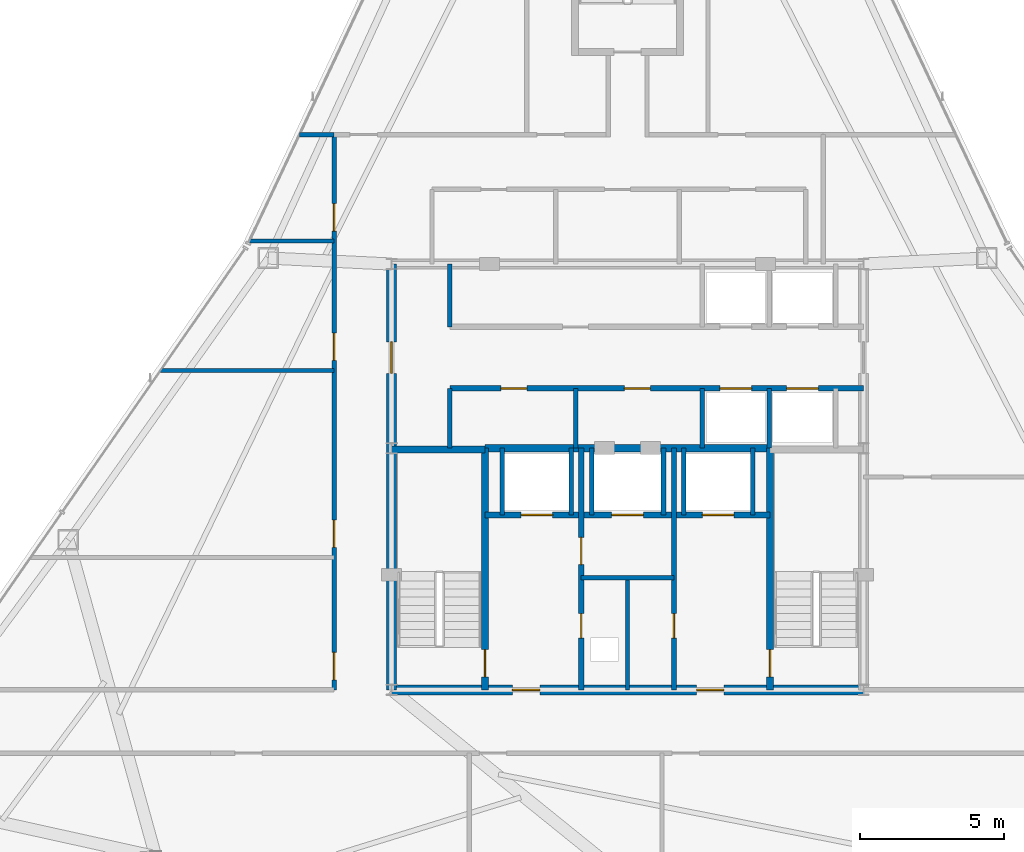
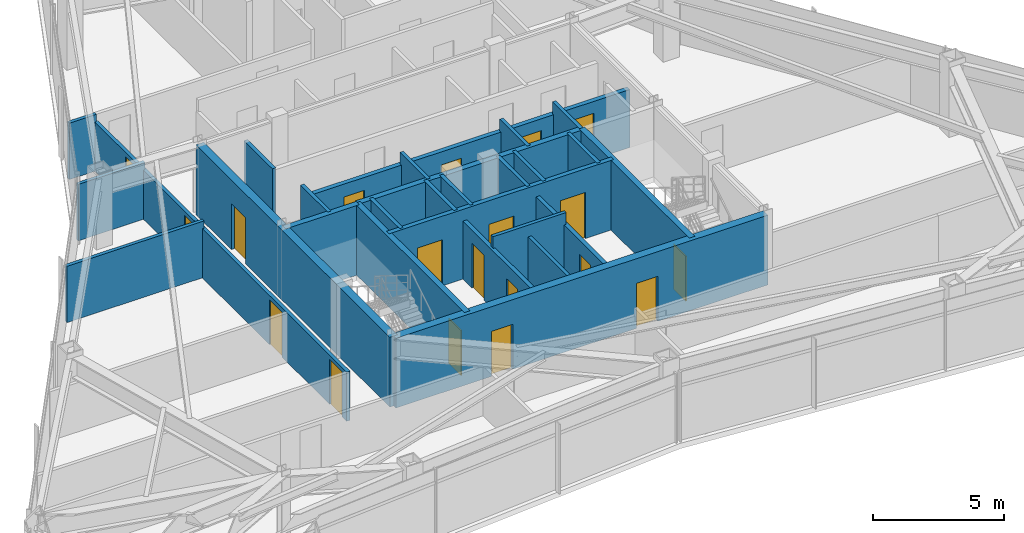
# One storey, part 9 of 12: 27 walls, 19 doors, 19 openings.
"""IFC4 building model written with IfcOpenShell, lengths in metres."""

import ifcopenshell
import ifcopenshell.guid

model = None  # the IFC model being written
_history = None  # IfcOwnerHistory: only IFC2X3 demands one
_inside = {}  # id of a spatial element -> (the spatial element, [elements in it])
_under = {}  # id of a project, library or spatial element -> (it, [spatial elements below it])
_declared = {}  # id of a project -> (the project, [libraries it declares])
_typed = {}  # id of a type object -> (the type object, [elements of that type])
_made_of = {}  # id of a material, layer set ... -> (it, [elements and type objects made of it])


def new_model(schema):
    """Start an empty IFC model of exactly this schema.

    Asked for "IFC4X3", IfcOpenShell would pick the latest addendum, in which some entities
    have other attributes; the version numbers below select the first issue.
    IFC2X3 requires an IfcOwnerHistory on every rooted entity: one is made here for all.
    """
    global model, _history
    if schema == "IFC4X3":
        model = ifcopenshell.file(schema_version=(4, 3, 0, 0))
    else:
        model = ifcopenshell.file(schema=schema)
    _inside.clear()
    _under.clear()
    _declared.clear()
    _typed.clear()
    _made_of.clear()
    _history = None
    if model.schema == "IFC2X3":
        org = make("IfcOrganization", Name="unknown")
        user = make(
            "IfcPersonAndOrganization",
            ThePerson=make("IfcPerson", FamilyName="unknown"),
            TheOrganization=org,
        )
        app = make(
            "IfcApplication",
            ApplicationDeveloper=org,
            Version="unknown",
            ApplicationFullName="unknown",
            ApplicationIdentifier="unknown",
        )
        _history = make(
            "IfcOwnerHistory",
            OwningUser=user,
            OwningApplication=app,
            ChangeAction="ADDED",
            CreationDate=0,
        )
    return model


def make(cls, **values):
    """One entity of the class cls with the attributes given. An attribute that is None is left unset."""
    return model.create_entity(
        cls, **{name: value for name, value in values.items() if value is not None}
    )


def rooted(cls, **values):
    """An entity with a GlobalId (a new one), such as an element, a storey or a relation."""
    return make(cls, GlobalId=ifcopenshell.guid.new(), OwnerHistory=_history, **values)


def si_unit(unit_type, name, prefix=None):
    """IfcSIUnit, for example si_unit("LENGTHUNIT", "METRE", prefix="MILLI")."""
    return make("IfcSIUnit", UnitType=unit_type, Prefix=prefix, Name=name)


def assignment(units):
    """IfcUnitAssignment: the units of a project."""
    return None if units is None else make("IfcUnitAssignment", Units=units)


def point(xyz):
    """IfcCartesianPoint."""
    return None if xyz is None else make("IfcCartesianPoint", Coordinates=xyz)


def direction(xyz):
    """IfcDirection."""
    return None if xyz is None else make("IfcDirection", DirectionRatios=xyz)


def frame(location, z_axis=None, x_axis=None):
    """IfcAxis2Placement3D, a coordinate frame: its origin and axes. An axis left out is left unset."""
    return make(
        "IfcAxis2Placement3D",
        Location=point(location),
        Axis=direction(z_axis),
        RefDirection=direction(x_axis),
    )


def frame_2d(location, x_axis=None):
    """IfcAxis2Placement2D, a coordinate frame in the plane: its origin and x axis."""
    return make(
        "IfcAxis2Placement2D", Location=point(location), RefDirection=direction(x_axis)
    )


def origin():
    """The frame at (0, 0, 0) with its axes left unset."""
    return frame((0.0, 0.0, 0.0))


def place(relative_to, where):
    """IfcLocalPlacement: puts the frame where relative to a parent placement (None: the world)."""
    return make(
        "IfcLocalPlacement", PlacementRelTo=relative_to, RelativePlacement=where
    )


def context(
    kind, dimensions, precision=None, world=None, true_north=None, identifier=None
):
    """IfcGeometricRepresentationContext, for example the 3D "Model" context."""
    return make(
        "IfcGeometricRepresentationContext",
        ContextIdentifier=identifier,
        ContextType=kind,
        CoordinateSpaceDimension=dimensions,
        Precision=precision,
        WorldCoordinateSystem=world,
        TrueNorth=true_north,
    )


def subcontext(parent, identifier, kind, view, scale=None):
    """IfcGeometricRepresentationSubContext, for example "Body" below "Model"."""
    return make(
        "IfcGeometricRepresentationSubContext",
        ContextIdentifier=identifier,
        ContextType=kind,
        ParentContext=parent,
        TargetScale=scale,
        TargetView=view,
    )


def project(units=None, contexts=None):
    """IfcProject with its units and contexts."""
    return rooted(
        "IfcProject",
        Name="project",
        RepresentationContexts=contexts,
        UnitsInContext=assignment(units),
    )


def spatial(cls, under=None, at=None, **own):
    """A site, building, storey or space (cls), placed at a placement, below another one or the project."""
    s = rooted(cls, ObjectPlacement=at, **own)
    if under is not None:
        _under.setdefault(under.id(), (under, []))[1].append(s)
    return s


def profile(cls, at=None, kind="AREA", **sizes):
    """A parametric profile (cls). Its sizes go by their IFC names, for example OverallWidth=200.0."""
    return make(cls, ProfileType=kind, Position=at, **sizes)


def rectangle(**sizes):
    """IfcRectangleProfileDef."""
    return profile("IfcRectangleProfileDef", **sizes)


def extrude(swept, where, along, depth):
    """IfcExtrudedAreaSolid: the profile swept, set in the frame where, extruded along a direction by depth."""
    return make(
        "IfcExtrudedAreaSolid",
        SweptArea=swept,
        Position=where,
        ExtrudedDirection=direction(along),
        Depth=depth,
    )


def shape(context_of_items, identifier, shape_type, items):
    """IfcShapeRepresentation: the items that make up one representation, for example the "Body"."""
    return make(
        "IfcShapeRepresentation",
        ContextOfItems=context_of_items,
        RepresentationIdentifier=identifier,
        RepresentationType=shape_type,
        Items=items,
    )


def material(Name=None, Category=None):
    """IfcMaterial."""
    return make("IfcMaterial", Name=Name, Category=Category)


def layer(
    of_material, thickness, ventilated=None, Name=None, Category=None, Priority=None
):
    """IfcMaterialLayer: one layer of a wall or slab, of a material (None: an air gap)."""
    return make(
        "IfcMaterialLayer",
        Material=of_material,
        LayerThickness=thickness,
        IsVentilated=ventilated,
        Name=Name,
        Category=Category,
        Priority=Priority,
    )


def layer_set(layers, Name=None):
    """IfcMaterialLayerSet."""
    return make("IfcMaterialLayerSet", MaterialLayers=layers, LayerSetName=Name)


def made_of(thing, what):
    """Note that an element or type object is made of a material, layer set ...; save() writes the relation."""
    if what is not None:
        _made_of.setdefault(what.id(), (what, []))[1].append(thing)
    return thing


def type_object(cls, material=None, **own):
    """A type object (cls), such as IfcWallType, which elements share."""
    return made_of(rooted(cls, **own), material)


def element(
    cls,
    number,
    at=None,
    inside=None,
    cuts=None,
    type_object=None,
    material=None,
    context=None,
    identifier="Body",
    shape_type=None,
    held_by="IfcProductDefinitionShape",
    body=None,
    shapes=None,
    **own,
):
    """One element of the class cls, such as IfcWall. Its Tag is "e" and its number.

    at: its placement. inside: the storey or other place that contains it. cuts: it is an
    opening in that element (IfcRelVoidsElement). A single representation is given by context,
    identifier, shape_type and body (its items); several are given by shapes. held_by: the class
    of the entity that holds the representations. save() writes the other relations.
    """
    e = rooted(cls, Tag="e%d" % number, ObjectPlacement=at, **own)
    if body is not None:
        shapes = [shape(context, identifier, shape_type, body)]
    if shapes is not None:
        e.Representation = make(held_by, Representations=shapes)
    if inside is not None:
        _inside.setdefault(inside.id(), (inside, []))[1].append(e)
    if cuts is not None:
        rooted(
            "IfcRelVoidsElement", RelatingBuildingElement=cuts, RelatedOpeningElement=e
        )
    if type_object is not None:
        _typed.setdefault(type_object.id(), (type_object, []))[1].append(e)
    return made_of(e, material)


def fill(opening, filler):
    """IfcRelFillsElement: the door or window that sits in an opening."""
    return rooted(
        "IfcRelFillsElement",
        RelatingOpeningElement=opening,
        RelatedBuildingElement=filler,
    )


def aggregate(whole, parts):
    """IfcRelAggregates: a whole, such as a stair, and the parts it consists of."""
    return rooted("IfcRelAggregates", RelatingObject=whole, RelatedObjects=parts)


def save(model, path):
    """Write the relations noted so far, then the file.

    IfcRelAggregates (storeys below a building ...), IfcRelContainedInSpatialStructure (elements
    in a storey), IfcRelDefinesByType, IfcRelAssociatesMaterial and IfcRelDeclares: one each for
    every whole, place, type object, material and project.
    """
    for whole, parts in _under.values():
        aggregate(whole, parts)
    for where, things in _inside.values():
        rooted(
            "IfcRelContainedInSpatialStructure",
            RelatedElements=things,
            RelatingStructure=where,
        )
    for kind, things in _typed.values():
        rooted("IfcRelDefinesByType", RelatedObjects=things, RelatingType=kind)
    for what, things in _made_of.values():
        rooted("IfcRelAssociatesMaterial", RelatedObjects=things, RelatingMaterial=what)
    for by, libraries in _declared.values():
        rooted("IfcRelDeclares", RelatingContext=by, RelatedDefinitions=libraries)
    model.write(path)


model = new_model("IFC4")

# Units and contexts
model_context = context("Model", 3, precision=1e-05, world=origin(), true_north=direction((0.0, 1.0)))
body_context = subcontext(model_context, "Body", "Model", "MODEL_VIEW")
ifc_project = project(units=[si_unit("LENGTHUNIT", "METRE"), si_unit("AREAUNIT", "SQUARE_METRE"), si_unit("VOLUMEUNIT", "CUBIC_METRE"), si_unit("PLANEANGLEUNIT", "RADIAN"), si_unit("MASSUNIT", "GRAM", prefix="KILO")], contexts=[model_context])

# Site, building, storey
site_placement = place(None, origin())
site = spatial("IfcSite", under=ifc_project, at=site_placement, CompositionType="ELEMENT")
building_placement = place(site_placement, origin())
building = spatial("IfcBuilding", under=site, at=building_placement, Name="Varakhsha Concourse Tower", CompositionType="ELEMENT")
storey_placement = place(building_placement, frame((0.0, 0.0, 225.89990234375)))
storey = spatial("IfcBuildingStorey", under=building, at=storey_placement, Name="L64", CompositionType="ELEMENT", Elevation=225.89990234375)

# Wall, openings, doors
ifc_material_1 = material(Name="Concrete fc 65 MPa", Category="concrete")
ifc_layer_1 = layer(ifc_material_1, 0.35009765625, Name="WL-CORE-350")
ifc_layer_set_1 = layer_set([ifc_layer_1], Name="Concrete fc 65 MPa")
wall_type_1 = type_object("IfcWallType", Name="WL-CORE-350", PredefinedType="SHEAR", material=ifc_layer_set_1)
wall_1_placement = place(storey_placement, frame((31.800048828125, 16.39990234375, 0.0), z_axis=(0.0, 0.0, 1.0), x_axis=(1.0, 0.0, 0.0)))
wall_1 = element("IfcWall", 1, at=wall_1_placement, inside=storey, type_object=wall_type_1, Name="L64 Wall CWALL-S-L64", PredefinedType="SHEAR", context=body_context, shape_type="SweptSolid", body=[
    extrude(rectangle(XDim=16.39990234375, YDim=0.35009765625, at=frame_2d((8.199951171875, 0.0))), origin(), (0.0, 0.0, 1.0), 3.25),
])
opening_1_placement = place(wall_1_placement, frame((4.199951171875, 0.0, 0.0)))
opening_1 = element("IfcOpeningElement", 2, at=opening_1_placement, cuts=wall_1, Name="Opening DF-05", PredefinedType="OPENING", context=body_context, shape_type="SweptSolid", body=[
    extrude(rectangle(XDim=0.949951171875, YDim=2.10009765625, at=frame_2d((0.47509765625, 1.050048828125))), frame((0.0, 0.18505859375, 0.0), z_axis=(0.0, -1.0, 0.0), x_axis=(1.0, 0.0, 0.0)), (0.0, 0.0, 1.0), 0.3701171875),
])
opening_2_placement = place(wall_1_placement, frame((10.60009765625, 0.0, 0.0)))
opening_2 = element("IfcOpeningElement", 3, at=opening_2_placement, cuts=wall_1, Name="Opening DF-05", PredefinedType="OPENING", context=body_context, shape_type="SweptSolid", body=[
    extrude(rectangle(XDim=0.949951171875, YDim=2.10009765625, at=frame_2d((0.47509765625, 1.050048828125))), frame((0.0, 0.18505859375, 0.0), z_axis=(0.0, -1.0, 0.0), x_axis=(1.0, 0.0, 0.0)), (0.0, 0.0, 1.0), 0.3701171875),
])
ifc_material_2 = material(Name="Hollow Galvanised Steel Fire Door Assembly", Category="steel")
door_type_1 = type_object("IfcDoorType", Name="DR-FD60-950", OperationType="NOTDEFINED", PredefinedType="DOOR", material=ifc_material_2)
door_1_placement = place(opening_1_placement, origin())
door_1 = element("IfcDoor", 4, at=door_1_placement, inside=storey, type_object=door_type_1, Name="L64 Firefighting Lobby West Door", OperationType="SINGLE_SWING_RIGHT", OverallHeight=2.10009765625, OverallWidth=0.949951171875, PredefinedType="DOOR", context=body_context, shape_type="SweptSolid", body=[
    extrude(rectangle(XDim=0.949951171875, YDim=2.10009765625, at=frame_2d((0.47509765625, 1.050048828125))), frame((0.0, 0.02490234375, 0.0), z_axis=(0.0, -1.0, 0.0), x_axis=(1.0, 0.0, 0.0)), (0.0, 0.0, 1.0), 0.050048828125),
])
fill(opening_1, door_1)
door_2_placement = place(opening_2_placement, origin())
door_2 = element("IfcDoor", 5, at=door_2_placement, inside=storey, type_object=door_type_1, Name="L64 Firefighting Lobby East Door", OperationType="SINGLE_SWING_LEFT", OverallHeight=2.10009765625, OverallWidth=0.949951171875, PredefinedType="DOOR", context=body_context, shape_type="SweptSolid", body=[
    extrude(rectangle(XDim=0.949951171875, YDim=2.10009765625, at=frame_2d((0.47509765625, 1.050048828125))), frame((0.0, 0.02490234375, 0.0), z_axis=(0.0, -1.0, 0.0), x_axis=(1.0, 0.0, 0.0)), (0.0, 0.0, 1.0), 0.050048828125),
])
fill(opening_2, door_2)

# Wall, opening, door
wall_2_placement = place(storey_placement, frame((31.800048828125, 16.39990234375, 0.0), z_axis=(0.0, 0.0, 1.0), x_axis=(0.0, 1.0, 0.0)))
wall_2 = element("IfcWall", 6, at=wall_2_placement, inside=storey, type_object=wall_type_1, Name="L64 Wall CWALL-W-L64", PredefinedType="SHEAR", context=body_context, shape_type="SweptSolid", body=[
    extrude(rectangle(XDim=14.800048828125, YDim=0.35009765625, at=frame_2d((7.39990234375, 0.0))), origin(), (0.0, 0.0, 1.0), 3.25),
])
opening_3_placement = place(wall_2_placement, frame((11.0, 0.0, 0.0)))
opening_3 = element("IfcOpeningElement", 7, at=opening_3_placement, cuts=wall_2, Name="Opening DL-01", PredefinedType="OPENING", context=body_context, shape_type="SweptSolid", body=[
    extrude(rectangle(XDim=1.10009765625, YDim=2.14990234375, at=frame_2d((0.550048828125, 1.074951171875))), frame((0.0, 0.18505859375, 0.0), z_axis=(0.0, -1.0, 0.0), x_axis=(1.0, 0.0, 0.0)), (0.0, 0.0, 1.0), 0.3701171875),
])
ifc_material_3 = material(Name="Anodised Bronze Architectural Aluminium AA 6063-T6", Category="aluminium")
door_type_2 = type_object("IfcDoorType", Name="DR-LOB-1100", OperationType="NOTDEFINED", PredefinedType="DOOR", material=ifc_material_3)
door_3_placement = place(opening_3_placement, origin())
door_3 = element("IfcDoor", 8, at=door_3_placement, inside=storey, type_object=door_type_2, Name="L64 Lift Lobby West Concourse Door", OperationType="SINGLE_SWING_LEFT", OverallHeight=2.14990234375, OverallWidth=1.10009765625, PredefinedType="DOOR", context=body_context, shape_type="SweptSolid", body=[
    extrude(rectangle(XDim=1.10009765625, YDim=2.14990234375, at=frame_2d((0.550048828125, 1.074951171875))), frame((0.0, 0.02490234375, 0.0), z_axis=(0.0, -1.0, 0.0), x_axis=(1.0, 0.0, 0.0)), (0.0, 0.0, 1.0), 0.050048828125),
])
fill(opening_3, door_3)

# Wall, openings, doors
ifc_material_4 = material(Name="Fire-Rated Type X Gypsum Partition Assembly", Category="gypsum")
ifc_layer_2 = layer(ifc_material_4, 0.179931640625, Name="WL-FFLOB-180")
ifc_layer_set_2 = layer_set([ifc_layer_2], Name="Fire-Rated Type X Gypsum Partition Assembly")
wall_type_2 = type_object("IfcWallType", Name="WL-FFLOB-180", PredefinedType="PARTITIONING", material=ifc_layer_set_2)
wall_3_placement = place(storey_placement, frame((38.389892578125, 16.39990234375, 0.0), z_axis=(0.0, 0.0, 1.0), x_axis=(0.0, 1.0, 0.0)))
wall_3 = element("IfcWall", 9, at=wall_3_placement, inside=storey, type_object=wall_type_2, Name="L64 Wall FFW-1E-L64", PredefinedType="PARTITIONING", context=body_context, shape_type="SweptSolid", body=[
    extrude(rectangle(XDim=8.400146484375, YDim=0.179931640625, at=frame_2d((4.2001953125, 0.0))), origin(), (0.0, 0.0, 1.0), 2.705078125),
])
opening_4_placement = place(wall_3_placement, frame((1.800048828125, 0.0, 0.0)))
opening_4 = element("IfcOpeningElement", 10, at=opening_4_placement, cuts=wall_3, Name="Opening DF-07", PredefinedType="OPENING", context=body_context, shape_type="SweptSolid", body=[
    extrude(rectangle(XDim=0.85009765625, YDim=2.050048828125, at=frame_2d((0.425048828125, 1.02490234375))), frame((0.0, 0.099853515625, 0.0), z_axis=(0.0, -1.0, 0.0), x_axis=(1.0, 0.0, 0.0)), (0.0, 0.0, 1.0), 0.199951171875),
])
opening_5_placement = place(wall_3_placement, frame((4.35009765625, 0.0, 0.0)))
opening_5 = element("IfcOpeningElement", 11, at=opening_5_placement, cuts=wall_3, Name="Opening DF-05", PredefinedType="OPENING", context=body_context, shape_type="SweptSolid", body=[
    extrude(rectangle(XDim=0.949951171875, YDim=2.10009765625, at=frame_2d((0.47509765625, 1.050048828125))), frame((0.0, 0.099853515625, 0.0), z_axis=(0.0, -1.0, 0.0), x_axis=(1.0, 0.0, 0.0)), (0.0, 0.0, 1.0), 0.199951171875),
])
door_type_3 = type_object("IfcDoorType", Name="DR-FD60-850", OperationType="NOTDEFINED", PredefinedType="DOOR", material=ifc_material_2)
door_4_placement = place(opening_4_placement, origin())
door_4 = element("IfcDoor", 12, at=door_4_placement, inside=storey, type_object=door_type_3, Name="L64 Power Metering Closet Door", OperationType="SINGLE_SWING_LEFT", OverallHeight=2.050048828125, OverallWidth=0.85009765625, PredefinedType="DOOR", context=body_context, shape_type="SweptSolid", body=[
    extrude(rectangle(XDim=0.85009765625, YDim=2.050048828125, at=frame_2d((0.425048828125, 1.02490234375))), frame((0.0, 0.02490234375, 0.0), z_axis=(0.0, -1.0, 0.0), x_axis=(1.0, 0.0, 0.0)), (0.0, 0.0, 1.0), 0.050048828125),
])
fill(opening_4, door_4)
door_5_placement = place(opening_5_placement, origin())
door_5 = element("IfcDoor", 13, at=door_5_placement, inside=storey, type_object=door_type_1, Name="L64 Service Vestibule Door", OperationType="SINGLE_SWING_RIGHT", OverallHeight=2.10009765625, OverallWidth=0.949951171875, PredefinedType="DOOR", context=body_context, shape_type="SweptSolid", body=[
    extrude(rectangle(XDim=0.949951171875, YDim=2.10009765625, at=frame_2d((0.47509765625, 1.050048828125))), frame((0.0, 0.02490234375, 0.0), z_axis=(0.0, -1.0, 0.0), x_axis=(1.0, 0.0, 0.0)), (0.0, 0.0, 1.0), 0.050048828125),
])
fill(opening_5, door_5)

# Wall, opening, door
wall_4_placement = place(storey_placement, frame((41.610107421875, 16.39990234375, 0.0), z_axis=(0.0, 0.0, 1.0), x_axis=(0.0, 1.0, 0.0)))
wall_4 = element("IfcWall", 14, at=wall_4_placement, inside=storey, type_object=wall_type_2, Name="L64 Wall FFW-2W-L64", PredefinedType="PARTITIONING", context=body_context, shape_type="SweptSolid", body=[
    extrude(rectangle(XDim=8.400146484375, YDim=0.179931640625, at=frame_2d((4.2001953125, 0.0))), origin(), (0.0, 0.0, 1.0), 2.705078125),
])
opening_6_placement = place(wall_4_placement, frame((1.800048828125, 0.0, 0.0)))
opening_6 = element("IfcOpeningElement", 15, at=opening_6_placement, cuts=wall_4, Name="Opening DF-07", PredefinedType="OPENING", context=body_context, shape_type="SweptSolid", body=[
    extrude(rectangle(XDim=0.85009765625, YDim=2.050048828125, at=frame_2d((0.425048828125, 1.02490234375))), frame((0.0, 0.099853515625, 0.0), z_axis=(0.0, -1.0, 0.0), x_axis=(1.0, 0.0, 0.0)), (0.0, 0.0, 1.0), 0.199951171875),
])
door_6_placement = place(opening_6_placement, origin())
door_6 = element("IfcDoor", 16, at=door_6_placement, inside=storey, type_object=door_type_3, Name="L64 BMS Control Closet Door", OperationType="SINGLE_SWING_RIGHT", OverallHeight=2.050048828125, OverallWidth=0.85009765625, PredefinedType="DOOR", context=body_context, shape_type="SweptSolid", body=[
    extrude(rectangle(XDim=0.85009765625, YDim=2.050048828125, at=frame_2d((0.425048828125, 1.02490234375))), frame((0.0, 0.02490234375, 0.0), z_axis=(0.0, -1.0, 0.0), x_axis=(1.0, 0.0, 0.0)), (0.0, 0.0, 1.0), 0.050048828125),
])
fill(opening_6, door_6)

# Walls
ifc_layer_3 = layer(ifc_material_4, 0.14990234375, Name="WL-PART-150")
ifc_layer_set_3 = layer_set([ifc_layer_3], Name="Fire-Rated Type X Gypsum Partition Assembly")
wall_type_3 = type_object("IfcWallType", Name="WL-PART-150", PredefinedType="PARTITIONING", material=ifc_layer_set_3)
wall_5_placement = place(storey_placement, frame((38.389892578125, 20.300048828125, 0.0), z_axis=(0.0, 0.0, 1.0), x_axis=(1.0, 0.0, 0.0)))
element("IfcWall", 17, at=wall_5_placement, inside=storey, type_object=wall_type_3, Name="L64 Wall RSW-TH-L64", PredefinedType="PARTITIONING", context=body_context, shape_type="SweptSolid", body=[
    extrude(rectangle(XDim=3.22021484375, YDim=0.14990234375, at=frame_2d((1.610107421875, 0.0))), origin(), (0.0, 0.0, 1.0), 3.25),
])
wall_6_placement = place(storey_placement, frame((40.0, 16.39990234375, 0.0), z_axis=(0.0, 0.0, 1.0), x_axis=(0.0, 1.0, 0.0)))
element("IfcWall", 18, at=wall_6_placement, inside=storey, type_object=wall_type_3, Name="L64 Wall RSW-TV-L64", PredefinedType="PARTITIONING", context=body_context, shape_type="SweptSolid", body=[
    extrude(rectangle(XDim=3.900146484375, YDim=0.14990234375, at=frame_2d((1.9501953125, 0.0))), origin(), (0.0, 0.0, 1.0), 2.705078125),
])
wall_7_placement = place(storey_placement, frame((38.199951171875, 24.800048828125, 0.0), z_axis=(0.0, 0.0, 1.0), x_axis=(0.0, 1.0, 0.0)))
element("IfcWall", 19, at=wall_7_placement, inside=storey, type_object=wall_type_3, Name="L64 Wall P2F-D1-L64", PredefinedType="PARTITIONING", context=body_context, shape_type="SweptSolid", body=[
    extrude(rectangle(XDim=2.079833984375, YDim=0.14990234375, at=frame_2d((1.0400390625, 0.0))), origin(), (0.0, 0.0, 1.0), 3.25),
])

# Wall, openings, doors
wall_8_placement = place(storey_placement, frame((29.800048828125, 16.39990234375, 0.0), z_axis=(0.0, 0.0, 1.0), x_axis=(0.0, 1.0, 0.0)))
wall_8 = element("IfcWall", 20, at=wall_8_placement, inside=storey, type_object=wall_type_3, Name="L64 Wall CRW-W-L64", PredefinedType="PARTITIONING", context=body_context, shape_type="SweptSolid", body=[
    extrude(rectangle(XDim=19.300048828125, YDim=0.14990234375, at=frame_2d((9.64990234375, 0.0))), origin(), (0.0, 0.0, 1.0), 2.2919921875),
])
opening_7_placement = place(wall_8_placement, frame((0.35009765625, 0.0, 0.0)))
opening_7 = element("IfcOpeningElement", 21, at=opening_7_placement, cuts=wall_8, Name="Opening DF-05", PredefinedType="OPENING", context=body_context, shape_type="SweptSolid", body=[
    extrude(rectangle(XDim=0.949951171875, YDim=2.10009765625, at=frame_2d((0.47509765625, 1.050048828125))), frame((0.0, 0.0849609375, 0.0), z_axis=(0.0, -1.0, 0.0), x_axis=(1.0, 0.0, 0.0)), (0.0, 0.0, 1.0), 0.169921875),
])
opening_8_placement = place(wall_8_placement, frame((4.949951171875, 0.0, 0.0)))
opening_8 = element("IfcOpeningElement", 22, at=opening_8_placement, cuts=wall_8, Name="Opening DF-05", PredefinedType="OPENING", context=body_context, shape_type="SweptSolid", body=[
    extrude(rectangle(XDim=0.949951171875, YDim=2.10009765625, at=frame_2d((0.47509765625, 1.050048828125))), frame((0.0, 0.0849609375, 0.0), z_axis=(0.0, -1.0, 0.0), x_axis=(1.0, 0.0, 0.0)), (0.0, 0.0, 1.0), 0.169921875),
])
opening_9_placement = place(wall_8_placement, frame((11.449951171875, 0.0, 0.0)))
opening_9 = element("IfcOpeningElement", 23, at=opening_9_placement, cuts=wall_8, Name="Opening DF-05", PredefinedType="OPENING", context=body_context, shape_type="SweptSolid", body=[
    extrude(rectangle(XDim=0.949951171875, YDim=2.10009765625, at=frame_2d((0.47509765625, 1.050048828125))), frame((0.0, 0.0849609375, 0.0), z_axis=(0.0, -1.0, 0.0), x_axis=(1.0, 0.0, 0.0)), (0.0, 0.0, 1.0), 0.169921875),
])
opening_10_placement = place(wall_8_placement, frame((15.949951171875, 0.0, 0.0)))
opening_10 = element("IfcOpeningElement", 24, at=opening_10_placement, cuts=wall_8, Name="Opening DF-05", PredefinedType="OPENING", context=body_context, shape_type="SweptSolid", body=[
    extrude(rectangle(XDim=0.949951171875, YDim=2.10009765625, at=frame_2d((0.47509765625, 1.050048828125))), frame((0.0, 0.0849609375, 0.0), z_axis=(0.0, -1.0, 0.0), x_axis=(1.0, 0.0, 0.0)), (0.0, 0.0, 1.0), 0.169921875),
])
door_7_placement = place(opening_7_placement, origin())
door_7 = element("IfcDoor", 25, at=door_7_placement, inside=storey, type_object=door_type_1, Name="L64 Town-Hall Innovation Lounge L64 Door", OperationType="SINGLE_SWING_RIGHT", OverallHeight=2.10009765625, OverallWidth=0.949951171875, PredefinedType="DOOR", context=body_context, shape_type="SweptSolid", body=[
    extrude(rectangle(XDim=0.949951171875, YDim=2.10009765625, at=frame_2d((0.47509765625, 1.050048828125))), frame((0.0, 0.02490234375, 0.0), z_axis=(0.0, -1.0, 0.0), x_axis=(1.0, 0.0, 0.0)), (0.0, 0.0, 1.0), 0.050048828125),
])
fill(opening_7, door_7)
door_8_placement = place(opening_8_placement, origin())
door_8 = element("IfcDoor", 26, at=door_8_placement, inside=storey, type_object=door_type_1, Name="L64 Hot-Desk Studio Neighborhood L64-W2 Door", OperationType="SINGLE_SWING_LEFT", OverallHeight=2.10009765625, OverallWidth=0.949951171875, PredefinedType="DOOR", context=body_context, shape_type="SweptSolid", body=[
    extrude(rectangle(XDim=0.949951171875, YDim=2.10009765625, at=frame_2d((0.47509765625, 1.050048828125))), frame((0.0, 0.02490234375, 0.0), z_axis=(0.0, -1.0, 0.0), x_axis=(1.0, 0.0, 0.0)), (0.0, 0.0, 1.0), 0.050048828125),
])
fill(opening_8, door_8)
door_9_placement = place(opening_9_placement, origin())
door_9 = element("IfcDoor", 27, at=door_9_placement, inside=storey, type_object=door_type_1, Name="L64 Hot-Desk Studio Neighborhood L64-W3 Door", OperationType="SINGLE_SWING_RIGHT", OverallHeight=2.10009765625, OverallWidth=0.949951171875, PredefinedType="DOOR", context=body_context, shape_type="SweptSolid", body=[
    extrude(rectangle(XDim=0.949951171875, YDim=2.10009765625, at=frame_2d((0.47509765625, 1.050048828125))), frame((0.0, 0.02490234375, 0.0), z_axis=(0.0, -1.0, 0.0), x_axis=(1.0, 0.0, 0.0)), (0.0, 0.0, 1.0), 0.050048828125),
])
fill(opening_9, door_9)
door_10_placement = place(opening_10_placement, origin())
door_10 = element("IfcDoor", 28, at=door_10_placement, inside=storey, type_object=door_type_1, Name="L64 Hot-Desk Studio Neighborhood L64-W4 Door", OperationType="SINGLE_SWING_LEFT", OverallHeight=2.10009765625, OverallWidth=0.949951171875, PredefinedType="DOOR", context=body_context, shape_type="SweptSolid", body=[
    extrude(rectangle(XDim=0.949951171875, YDim=2.10009765625, at=frame_2d((0.47509765625, 1.050048828125))), frame((0.0, 0.02490234375, 0.0), z_axis=(0.0, -1.0, 0.0), x_axis=(1.0, 0.0, 0.0)), (0.0, 0.0, 1.0), 0.050048828125),
])
fill(opening_10, door_10)

# Walls
wall_9_placement = place(storey_placement, frame((28.59814453125, 35.699951171875, 0.0), z_axis=(0.0, 0.0, 1.0), x_axis=(1.0, 0.0, 0.0)))
element("IfcWall", 29, at=wall_9_placement, inside=storey, type_object=wall_type_3, Name="L64 Wall ODIV-WBN-L64", PredefinedType="PARTITIONING", context=body_context, shape_type="SweptSolid", body=[
    extrude(rectangle(XDim=1.201904296875, YDim=0.14990234375, at=frame_2d((0.60107421875, 0.0))), origin(), (0.0, 0.0, 1.0), 2.628173828125),
])
wall_10_placement = place(storey_placement, frame((23.767333984375, 27.5, 0.0), z_axis=(0.0, 0.0, 1.0), x_axis=(1.0, 0.0, 0.0)))
element("IfcWall", 30, at=wall_10_placement, inside=storey, type_object=wall_type_3, Name="L64 Wall ODIV-W2-L64", PredefinedType="PARTITIONING", context=body_context, shape_type="SweptSolid", body=[
    extrude(rectangle(XDim=6.03271484375, YDim=0.14990234375, at=frame_2d((3.016357421875, 0.0))), origin(), (0.0, 0.0, 1.0), 2.628173828125),
])
wall_11_placement = place(storey_placement, frame((26.85498046875, 32.0, 0.0), z_axis=(0.0, 0.0, 1.0), x_axis=(1.0, 0.0, 0.0)))
element("IfcWall", 31, at=wall_11_placement, inside=storey, type_object=wall_type_3, Name="L64 Wall ODIV-W3-L64", PredefinedType="PARTITIONING", context=body_context, shape_type="SweptSolid", body=[
    extrude(rectangle(XDim=2.945068359375, YDim=0.14990234375, at=frame_2d((1.47265625, 0.0))), origin(), (0.0, 0.0, 1.0), 2.628173828125),
])

# Wall, openings, doors
ifc_layer_4 = layer(ifc_material_4, 0.199951171875, Name="WL-SHAFT-220")
ifc_layer_set_4 = layer_set([ifc_layer_4], Name="Fire-Rated Type X Gypsum Partition Assembly")
wall_type_4 = type_object("IfcWallType", Name="WL-SHAFT-220", PredefinedType="SOLIDWALL", material=ifc_layer_set_4)
wall_12_placement = place(storey_placement, frame((35.044921875, 22.47998046875, 0.0), z_axis=(0.0, 0.0, 1.0), x_axis=(1.0, 0.0, 0.0)))
wall_12 = element("IfcWall", 32, at=wall_12_placement, inside=storey, type_object=wall_type_4, Name="L64 Wall FFW-NH-L64", PredefinedType="SOLIDWALL", context=body_context, shape_type="SweptSolid", body=[
    extrude(rectangle(XDim=9.91015625, YDim=0.199951171875, at=frame_2d((4.955078125, 0.0))), origin(), (0.0, 0.0, 1.0), 3.25),
])
opening_11_placement = place(wall_12_placement, frame((1.2548828125, 0.0, 0.0)))
opening_11 = element("IfcOpeningElement", 33, at=opening_11_placement, cuts=wall_12, Name="Opening LD-FFL-1", PredefinedType="OPENING", context=body_context, shape_type="SweptSolid", body=[
    extrude(rectangle(XDim=1.10009765625, YDim=2.14990234375, at=frame_2d((0.550048828125, 1.074951171875))), frame((0.0, 0.10986328125, 0.0), z_axis=(0.0, -1.0, 0.0), x_axis=(1.0, 0.0, 0.0)), (0.0, 0.0, 1.0), 0.219970703125),
])
opening_12_placement = place(wall_12_placement, frame((7.554931640625, 0.0, 0.0)))
opening_12 = element("IfcOpeningElement", 34, at=opening_12_placement, cuts=wall_12, Name="Opening LD-FFL-2", PredefinedType="OPENING", context=body_context, shape_type="SweptSolid", body=[
    extrude(rectangle(XDim=1.10009765625, YDim=2.14990234375, at=frame_2d((0.550048828125, 1.074951171875))), frame((0.0, 0.10986328125, 0.0), z_axis=(0.0, -1.0, 0.0), x_axis=(1.0, 0.0, 0.0)), (0.0, 0.0, 1.0), 0.219970703125),
])
opening_13_placement = place(wall_12_placement, frame((4.405029296875, 0.0, 0.0)))
opening_13 = element("IfcOpeningElement", 35, at=opening_13_placement, cuts=wall_12, Name="Opening LD-SVL-1", PredefinedType="OPENING", context=body_context, shape_type="SweptSolid", body=[
    extrude(rectangle(XDim=1.10009765625, YDim=2.14990234375, at=frame_2d((0.550048828125, 1.074951171875))), frame((0.0, 0.10986328125, 0.0), z_axis=(0.0, -1.0, 0.0), x_axis=(1.0, 0.0, 0.0)), (0.0, 0.0, 1.0), 0.219970703125),
])
ifc_material_5 = material(Name="Brushed Austenitic Stainless Steel AISI 316", Category="steel")
door_type_4 = type_object("IfcDoorType", Name="DR-LD-1100", OperationType="DOUBLE_DOOR_SLIDING", PredefinedType="DOOR", material=ifc_material_5)
door_11_placement = place(opening_11_placement, origin())
door_11 = element("IfcDoor", 36, at=door_11_placement, inside=storey, type_object=door_type_4, Name="Lift Landing Door FFL-1 L64", OperationType="DOUBLE_DOOR_SLIDING", OverallHeight=2.14990234375, OverallWidth=1.10009765625, PredefinedType="DOOR", context=body_context, shape_type="SweptSolid", body=[
    extrude(rectangle(XDim=1.10009765625, YDim=2.14990234375, at=frame_2d((0.550048828125, 1.074951171875))), frame((0.0, 0.02490234375, 0.0), z_axis=(0.0, -1.0, 0.0), x_axis=(1.0, 0.0, 0.0)), (0.0, 0.0, 1.0), 0.050048828125),
])
fill(opening_11, door_11)
door_12_placement = place(opening_12_placement, origin())
door_12 = element("IfcDoor", 37, at=door_12_placement, inside=storey, type_object=door_type_4, Name="Lift Landing Door FFL-2 L64", OperationType="DOUBLE_DOOR_SLIDING", OverallHeight=2.14990234375, OverallWidth=1.10009765625, PredefinedType="DOOR", context=body_context, shape_type="SweptSolid", body=[
    extrude(rectangle(XDim=1.10009765625, YDim=2.14990234375, at=frame_2d((0.550048828125, 1.074951171875))), frame((0.0, 0.02490234375, 0.0), z_axis=(0.0, -1.0, 0.0), x_axis=(1.0, 0.0, 0.0)), (0.0, 0.0, 1.0), 0.050048828125),
])
fill(opening_12, door_12)
door_13_placement = place(opening_13_placement, origin())
door_13 = element("IfcDoor", 38, at=door_13_placement, inside=storey, type_object=door_type_4, Name="Lift Landing Door SVL-1 L64", OperationType="DOUBLE_DOOR_SLIDING", OverallHeight=2.14990234375, OverallWidth=1.10009765625, PredefinedType="DOOR", context=body_context, shape_type="SweptSolid", body=[
    extrude(rectangle(XDim=1.10009765625, YDim=2.14990234375, at=frame_2d((0.550048828125, 1.074951171875))), frame((0.0, 0.02490234375, 0.0), z_axis=(0.0, -1.0, 0.0), x_axis=(1.0, 0.0, 0.0)), (0.0, 0.0, 1.0), 0.050048828125),
])
fill(opening_13, door_13)

# Walls
for number, where, z_axis, x_axis, name in (
    (39, (35.64990234375, 22.47998046875, 0.0), (0.0, 0.0, 1.0), (0.0, 1.0, 0.0), "L64 Wall SHW-FFL-1-W-L64"),
    (40, (38.050048828125, 22.47998046875, 0.0), (0.0, 0.0, 1.0), (0.0, 1.0, 0.0), "L64 Wall SHW-FFL-1-E-L64"),
    (41, (41.949951171875, 22.47998046875, 0.0), (0.0, 0.0, 1.0), (0.0, 1.0, 0.0), "L64 Wall SHW-FFL-2-W-L64"),
    (42, (44.35009765625, 22.47998046875, 0.0), (0.0, 0.0, 1.0), (0.0, 1.0, 0.0), "L64 Wall SHW-FFL-2-E-L64"),
    (43, (38.75, 22.47998046875, 0.0), (0.0, 0.0, 1.0), (0.0, 1.0, 0.0), "L64 Wall SHW-SVL-1-W-L64"),
    (44, (41.25, 22.47998046875, 0.0), (0.0, 0.0, 1.0), (0.0, 1.0, 0.0), "L64 Wall SHW-SVL-1-E-L64"),
):
    element("IfcWall", number, at=place(storey_placement, frame(where, z_axis=z_axis, x_axis=x_axis)), inside=storey, type_object=wall_type_4, Name=name, PredefinedType="SOLIDWALL", context=body_context, shape_type="SweptSolid", body=[
        extrude(rectangle(XDim=2.320068359375, YDim=0.159912109375, at=frame_2d((1.16015625, 0.0))), origin(), (0.0, 0.0, 1.0), 3.25),
    ])

# Wall, openings, doors
wall_13_placement = place(storey_placement, frame((33.820068359375, 26.8798828125, 0.0), z_axis=(0.0, 0.0, 1.0), x_axis=(1.0, 0.0, 0.0)))
wall_13 = element("IfcWall", 45, at=wall_13_placement, inside=storey, type_object=wall_type_4, Name="L64 Wall PLW-S-L64", PredefinedType="SOLIDWALL", context=body_context, shape_type="SweptSolid", body=[
    extrude(rectangle(XDim=14.3798828125, YDim=0.199951171875, at=frame_2d((7.18994140625, 0.0))), origin(), (0.0, 0.0, 1.0), 2.705078125),
])
opening_14_placement = place(wall_13_placement, frame((1.780029296875, 0.0, 0.0)))
opening_14 = element("IfcOpeningElement", 46, at=opening_14_placement, cuts=wall_13, Name="Opening DF-06", PredefinedType="OPENING", context=body_context, shape_type="SweptSolid", body=[
    extrude(rectangle(XDim=0.89990234375, YDim=2.10009765625, at=frame_2d((0.449951171875, 1.050048828125))), frame((0.0, 0.10986328125, 0.0), z_axis=(0.0, -1.0, 0.0), x_axis=(1.0, 0.0, 0.0)), (0.0, 0.0, 1.0), 0.219970703125),
])
opening_15_placement = place(wall_13_placement, frame((6.070068359375, 0.0, 0.0)))
opening_15 = element("IfcOpeningElement", 47, at=opening_15_placement, cuts=wall_13, Name="Opening DF-06", PredefinedType="OPENING", context=body_context, shape_type="SweptSolid", body=[
    extrude(rectangle(XDim=0.89990234375, YDim=2.10009765625, at=frame_2d((0.449951171875, 1.050048828125))), frame((0.0, 0.10986328125, 0.0), z_axis=(0.0, -1.0, 0.0), x_axis=(1.0, 0.0, 0.0)), (0.0, 0.0, 1.0), 0.219970703125),
])
opening_16_placement = place(wall_13_placement, frame((9.389892578125, 0.0, 0.0)))
opening_16 = element("IfcOpeningElement", 48, at=opening_16_placement, cuts=wall_13, Name="Opening LD-LF-P11", PredefinedType="OPENING", context=body_context, shape_type="SweptSolid", body=[
    extrude(rectangle(XDim=1.10009765625, YDim=2.14990234375, at=frame_2d((0.550048828125, 1.074951171875))), frame((0.0, 0.10986328125, 0.0), z_axis=(0.0, -1.0, 0.0), x_axis=(1.0, 0.0, 0.0)), (0.0, 0.0, 1.0), 0.219970703125),
])
opening_17_placement = place(wall_13_placement, frame((11.7099609375, 0.0, 0.0)))
opening_17 = element("IfcOpeningElement", 49, at=opening_17_placement, cuts=wall_13, Name="Opening LD-LF-P12", PredefinedType="OPENING", context=body_context, shape_type="SweptSolid", body=[
    extrude(rectangle(XDim=1.10009765625, YDim=2.14990234375, at=frame_2d((0.550048828125, 1.074951171875))), frame((0.0, 0.10986328125, 0.0), z_axis=(0.0, -1.0, 0.0), x_axis=(1.0, 0.0, 0.0)), (0.0, 0.0, 1.0), 0.219970703125),
])
door_type_5 = type_object("IfcDoorType", Name="DR-FD60-900", OperationType="NOTDEFINED", PredefinedType="DOOR", material=ifc_material_2)
door_14_placement = place(opening_14_placement, origin())
door_14 = element("IfcDoor", 50, at=door_14_placement, inside=storey, type_object=door_type_5, Name="L64 Executive Pantry and Copy Suite Door", OperationType="SINGLE_SWING_RIGHT", OverallHeight=2.10009765625, OverallWidth=0.89990234375, PredefinedType="DOOR", context=body_context, shape_type="SweptSolid", body=[
    extrude(rectangle(XDim=0.89990234375, YDim=2.10009765625, at=frame_2d((0.449951171875, 1.050048828125))), frame((0.0, 0.02490234375, 0.0), z_axis=(0.0, -1.0, 0.0), x_axis=(1.0, 0.0, 0.0)), (0.0, 0.0, 1.0), 0.050048828125),
])
fill(opening_14, door_14)
door_15_placement = place(opening_15_placement, origin())
door_15 = element("IfcDoor", 51, at=door_15_placement, inside=storey, type_object=door_type_5, Name="L64 Core Supply Closet S1 Door", OperationType="SINGLE_SWING_LEFT", OverallHeight=2.10009765625, OverallWidth=0.89990234375, PredefinedType="DOOR", context=body_context, shape_type="SweptSolid", body=[
    extrude(rectangle(XDim=0.89990234375, YDim=2.10009765625, at=frame_2d((0.449951171875, 1.050048828125))), frame((0.0, 0.02490234375, 0.0), z_axis=(0.0, -1.0, 0.0), x_axis=(1.0, 0.0, 0.0)), (0.0, 0.0, 1.0), 0.050048828125),
])
fill(opening_15, door_15)
door_16_placement = place(opening_16_placement, origin())
door_16 = element("IfcDoor", 52, at=door_16_placement, inside=storey, type_object=door_type_4, Name="Lift Landing Door LF-P11 L64", OperationType="DOUBLE_DOOR_SLIDING", OverallHeight=2.14990234375, OverallWidth=1.10009765625, PredefinedType="DOOR", context=body_context, shape_type="SweptSolid", body=[
    extrude(rectangle(XDim=1.10009765625, YDim=2.14990234375, at=frame_2d((0.550048828125, 1.074951171875))), frame((0.0, 0.02490234375, 0.0), z_axis=(0.0, -1.0, 0.0), x_axis=(1.0, 0.0, 0.0)), (0.0, 0.0, 1.0), 0.050048828125),
])
fill(opening_16, door_16)
door_17_placement = place(opening_17_placement, origin())
door_17 = element("IfcDoor", 53, at=door_17_placement, inside=storey, type_object=door_type_4, Name="Lift Landing Door LF-P12 L64", OperationType="DOUBLE_DOOR_SLIDING", OverallHeight=2.14990234375, OverallWidth=1.10009765625, PredefinedType="DOOR", context=body_context, shape_type="SweptSolid", body=[
    extrude(rectangle(XDim=1.10009765625, YDim=2.14990234375, at=frame_2d((0.550048828125, 1.074951171875))), frame((0.0, 0.02490234375, 0.0), z_axis=(0.0, -1.0, 0.0), x_axis=(1.0, 0.0, 0.0)), (0.0, 0.0, 1.0), 0.050048828125),
])
fill(opening_17, door_17)

# Walls
wall_14_placement = place(storey_placement, frame((33.820068359375, 29.02001953125, 0.0), z_axis=(0.0, 0.0, 1.0), x_axis=(0.0, 1.0, 0.0)))
element("IfcWall", 54, at=wall_14_placement, inside=storey, type_object=wall_type_4, Name="L64 Wall WBOH-E1-L64", PredefinedType="SOLIDWALL", context=body_context, shape_type="SweptSolid", body=[
    extrude(rectangle(XDim=2.179931640625, YDim=0.159912109375, at=frame_2d((1.08984375, 0.0))), origin(), (0.0, 0.0, 1.0), 2.705078125),
])
for number, where, z_axis, x_axis, name in (
    (55, (33.820068359375, 24.800048828125, 0.0), (0.0, 0.0, 1.0), (0.0, 1.0, 0.0), "L64 Wall WBOH-E2-L64"),
    (56, (42.60009765625, 24.800048828125, 0.0), (0.0, 0.0, 1.0), (0.0, 1.0, 0.0), "L64 Wall SHW-LF-P11-W-L64"),
    (57, (44.919921875, 24.800048828125, 0.0), (0.0, 0.0, 1.0), (0.0, 1.0, 0.0), "L64 Wall SHW-LF-P11-E-L64"),
):
    element("IfcWall", number, at=place(storey_placement, frame(where, z_axis=z_axis, x_axis=x_axis)), inside=storey, type_object=wall_type_4, Name=name, PredefinedType="SOLIDWALL", context=body_context, shape_type="SweptSolid", body=[
        extrude(rectangle(XDim=2.079833984375, YDim=0.159912109375, at=frame_2d((1.0400390625, 0.0))), origin(), (0.0, 0.0, 1.0), 3.25),
    ])

# Wall, opening, door
ifc_material_6 = material(Name="Concrete fc 45 MPa", Category="concrete")
ifc_layer_5 = layer(ifc_material_6, 0.25, Name="WL-STAIR-250")
ifc_layer_set_5 = layer_set([ifc_layer_5], Name="Concrete fc 45 MPa")
wall_type_5 = type_object("IfcWallType", Name="WL-STAIR-250", PredefinedType="SHEAR", material=ifc_layer_set_5)
wall_15_placement = place(storey_placement, frame((35.044921875, 16.39990234375, 0.0), z_axis=(0.0, 0.0, 1.0), x_axis=(0.0, 1.0, 0.0)))
wall_15 = element("IfcWall", 58, at=wall_15_placement, inside=storey, type_object=wall_type_5, Name="L64 Wall SWALL-ST1-E-L64", PredefinedType="SHEAR", context=body_context, shape_type="SweptSolid", body=[
    extrude(rectangle(XDim=8.400146484375, YDim=0.25, at=frame_2d((4.2001953125, 0.0))), origin(), (0.0, 0.0, 1.0), 3.25),
])
opening_18_placement = place(wall_15_placement, frame((0.449951171875, 0.0, 0.0)))
opening_18 = element("IfcOpeningElement", 59, at=opening_18_placement, cuts=wall_15, Name="Opening DF-03", PredefinedType="OPENING", context=body_context, shape_type="SweptSolid", body=[
    extrude(rectangle(XDim=0.949951171875, YDim=2.10009765625, at=frame_2d((0.47509765625, 1.050048828125))), frame((0.0, 0.135009765625, 0.0), z_axis=(0.0, -1.0, 0.0), x_axis=(1.0, 0.0, 0.0)), (0.0, 0.0, 1.0), 0.27001953125),
])
door_type_6 = type_object("IfcDoorType", Name="DR-FD90-950", OperationType="NOTDEFINED", PredefinedType="DOOR", material=ifc_material_2)
door_18_placement = place(opening_18_placement, origin())
door_18 = element("IfcDoor", 60, at=door_18_placement, inside=storey, type_object=door_type_6, Name="L64 Stair ST1 Fire Door", OperationType="SINGLE_SWING_LEFT", OverallHeight=2.10009765625, OverallWidth=0.949951171875, PredefinedType="DOOR", context=body_context, shape_type="SweptSolid", body=[
    extrude(rectangle(XDim=0.949951171875, YDim=2.10009765625, at=frame_2d((0.47509765625, 1.050048828125))), frame((0.0, 0.02490234375, 0.0), z_axis=(0.0, -1.0, 0.0), x_axis=(1.0, 0.0, 0.0)), (0.0, 0.0, 1.0), 0.050048828125),
])
fill(opening_18, door_18)

# Wall
wall_16_placement = place(storey_placement, frame((31.800048828125, 24.7548828125, 0.0), z_axis=(0.0, 0.0, 1.0), x_axis=(1.0, 0.0, 0.0)))
element("IfcWall", 61, at=wall_16_placement, inside=storey, type_object=wall_type_5, Name="L64 Wall SWALL-ST1-N-L64", PredefinedType="SHEAR", context=body_context, shape_type="SweptSolid", body=[
    extrude(rectangle(XDim=3.244873046875, YDim=0.25, at=frame_2d((1.62255859375, 0.0))), origin(), (0.0, 0.0, 1.0), 3.25),
])

# Wall, opening, door
wall_17_placement = place(storey_placement, frame((44.955078125, 16.39990234375, 0.0), z_axis=(0.0, 0.0, 1.0), x_axis=(0.0, 1.0, 0.0)))
wall_17 = element("IfcWall", 62, at=wall_17_placement, inside=storey, type_object=wall_type_5, Name="L64 Wall SWALL-ST2-W-L64", PredefinedType="SHEAR", context=body_context, shape_type="SweptSolid", body=[
    extrude(rectangle(XDim=8.400146484375, YDim=0.25, at=frame_2d((4.2001953125, 0.0))), origin(), (0.0, 0.0, 1.0), 3.25),
])
opening_19_placement = place(wall_17_placement, frame((0.449951171875, 0.0, 0.0)))
opening_19 = element("IfcOpeningElement", 63, at=opening_19_placement, cuts=wall_17, Name="Opening DF-03", PredefinedType="OPENING", context=body_context, shape_type="SweptSolid", body=[
    extrude(rectangle(XDim=0.949951171875, YDim=2.10009765625, at=frame_2d((0.47509765625, 1.050048828125))), frame((0.0, 0.135009765625, 0.0), z_axis=(0.0, -1.0, 0.0), x_axis=(1.0, 0.0, 0.0)), (0.0, 0.0, 1.0), 0.27001953125),
])
door_19_placement = place(opening_19_placement, origin())
door_19 = element("IfcDoor", 64, at=door_19_placement, inside=storey, type_object=door_type_6, Name="L64 Stair ST2 Fire Door", OperationType="SINGLE_SWING_RIGHT", OverallHeight=2.10009765625, OverallWidth=0.949951171875, PredefinedType="DOOR", context=body_context, shape_type="SweptSolid", body=[
    extrude(rectangle(XDim=0.949951171875, YDim=2.10009765625, at=frame_2d((0.47509765625, 1.050048828125))), frame((0.0, 0.02490234375, 0.0), z_axis=(0.0, -1.0, 0.0), x_axis=(1.0, 0.0, 0.0)), (0.0, 0.0, 1.0), 0.050048828125),
])
fill(opening_19, door_19)

# Wall
wall_18_placement = place(storey_placement, frame((35.044921875, 24.800048828125, 0.0), z_axis=(0.0, 0.0, 1.0), x_axis=(1.0, 0.0, 0.0)))
element("IfcWall", 65, at=wall_18_placement, inside=storey, type_object=wall_type_5, Name="L64 Wall SWALL-MID-H-L64", PredefinedType="SHEAR", context=body_context, shape_type="SweptSolid", body=[
    extrude(rectangle(XDim=9.91015625, YDim=0.25, at=frame_2d((4.955078125, 0.0))), origin(), (0.0, 0.0, 1.0), 3.25),
])

save(model, "model.ifc")
